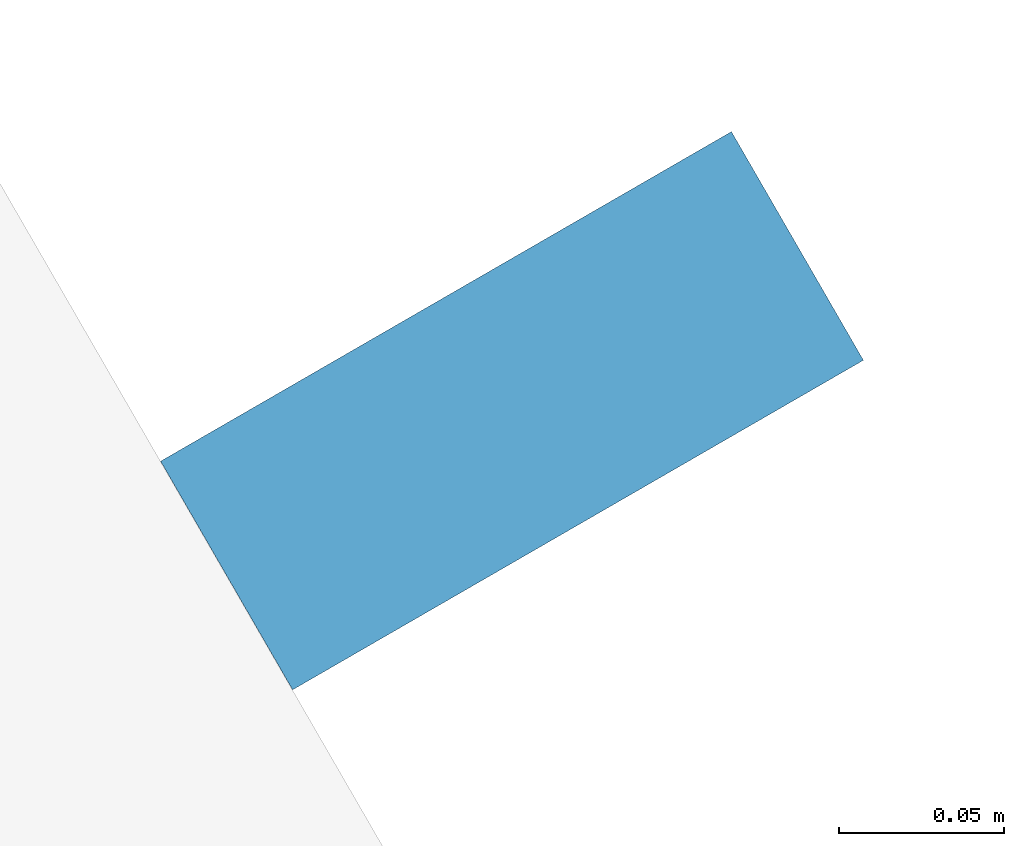
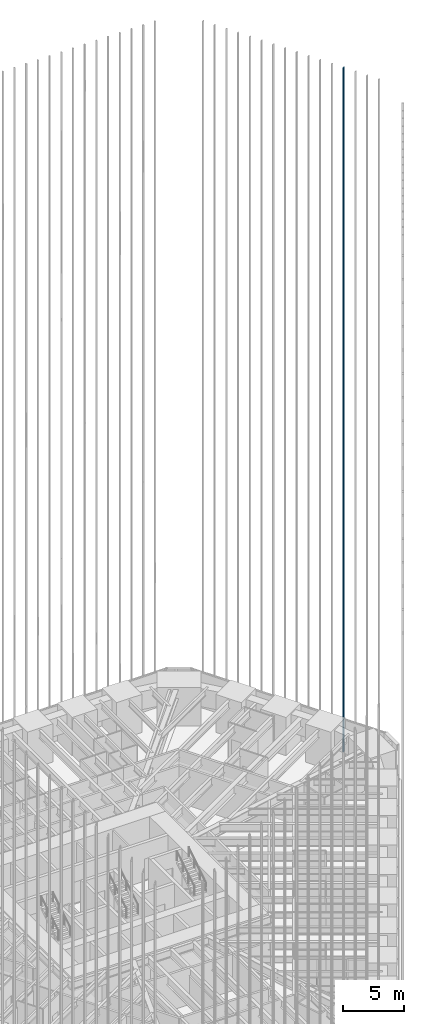
# One storey, part 204 of 256: 1 member, 1 element without a shape of its own.
"""IFC4 building model written with IfcOpenShell, lengths in metres."""

from ifc_helpers import new_model, si_unit, direction, frame, origin, origin_2d, place, context, subcontext, project, spatial, rectangle, extrude, material, material_profile, profile_set, type_object, element, aggregate, save


model = new_model("IFC4")

# Units and contexts
model_context = context("Model", 3, precision=1e-05, world=origin(), true_north=direction((0.0, 1.0)))
body_context = subcontext(model_context, "Body", "Model", "MODEL_VIEW")
ifc_project = project(units=[si_unit("LENGTHUNIT", "METRE"), si_unit("AREAUNIT", "SQUARE_METRE"), si_unit("VOLUMEUNIT", "CUBIC_METRE"), si_unit("PLANEANGLEUNIT", "RADIAN"), si_unit("MASSUNIT", "GRAM", prefix="KILO")], contexts=[model_context])

# Site, building, storey
site_placement = place(None, origin())
site = spatial("IfcSite", under=ifc_project, at=site_placement, CompositionType="ELEMENT")
building_placement = place(site_placement, origin())
building = spatial("IfcBuilding", under=site, at=building_placement, Name="Sandreach Pilgrim Tower", CompositionType="ELEMENT")
storey_placement = place(building_placement, frame((0.0, 0.0, 23.0)))
storey = spatial("IfcBuildingStorey", under=building, at=storey_placement, Name="L04", CompositionType="ELEMENT", Elevation=23.0)

# Curtain wall, member
ifc_material_1 = material(Name="Aluminium framed curtain wall", Category="aluminium")
curtain_wall_type = type_object("IfcCurtainWallType", Name="Hostel tower curtain wall", PredefinedType="NOTDEFINED", material=ifc_material_1)
curtain_wall_placement = place(storey_placement, origin())
curtain_wall = element("IfcCurtainWall", 1, at=curtain_wall_placement, inside=storey, type_object=curtain_wall_type, Name="CW-1 L04 NE", PredefinedType="NOTDEFINED")
ifc_material_2 = material(Name="Extruded terracotta on aluminium core", Category="masonry")
ifc_material_profile = material_profile(ifc_material_2, rectangle(XDim=0.080078125, YDim=0.199951171875, at=origin_2d()), Name="TBE 80X200")
ifc_profile_set = profile_set([ifc_material_profile], Name="Extruded terracotta on aluminium core")
member_type = type_object("IfcMemberType", Name="Terracotta baguette east", PredefinedType="USERDEFINED", material=ifc_profile_set)
member_placement = place(storey_placement, frame((28.82568359375, 10.894287109375, 0.0), z_axis=(0.0, 0.0, 1.0), x_axis=(0.5, -0.866025403784, 0.0)))
member = element("IfcMember", 2, at=member_placement, type_object=member_type, Name="Baguette Z1 NE13", ObjectType="BAGUETTE", PredefinedType="USERDEFINED", context=body_context, shape_type="SweptSolid", body=[
    extrude(rectangle(XDim=0.080078125, YDim=0.199951171875, at=origin_2d()), origin(), (0.0, 0.0, 1.0), 68.239990234375),
])
aggregate(curtain_wall, [member])

save(model, "model.ifc")
